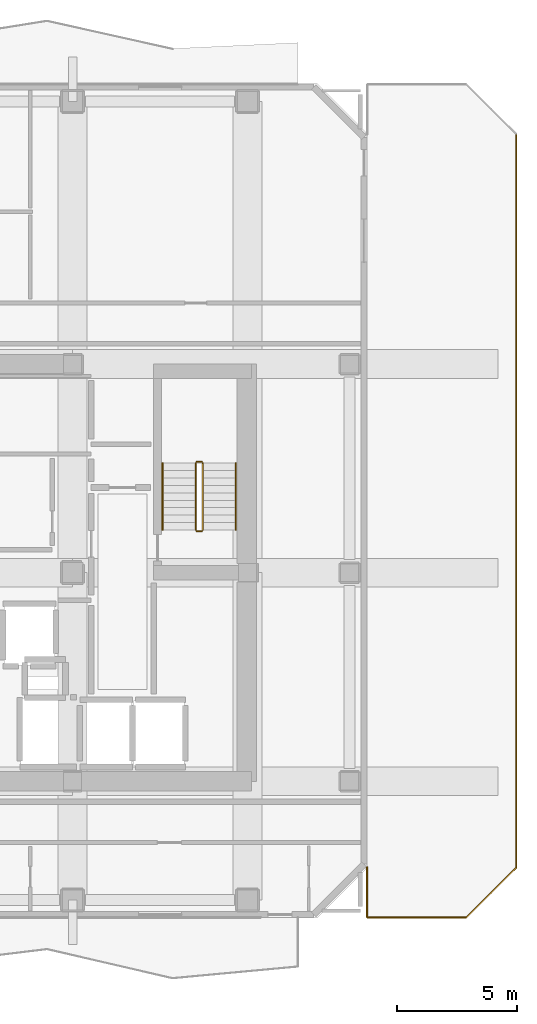
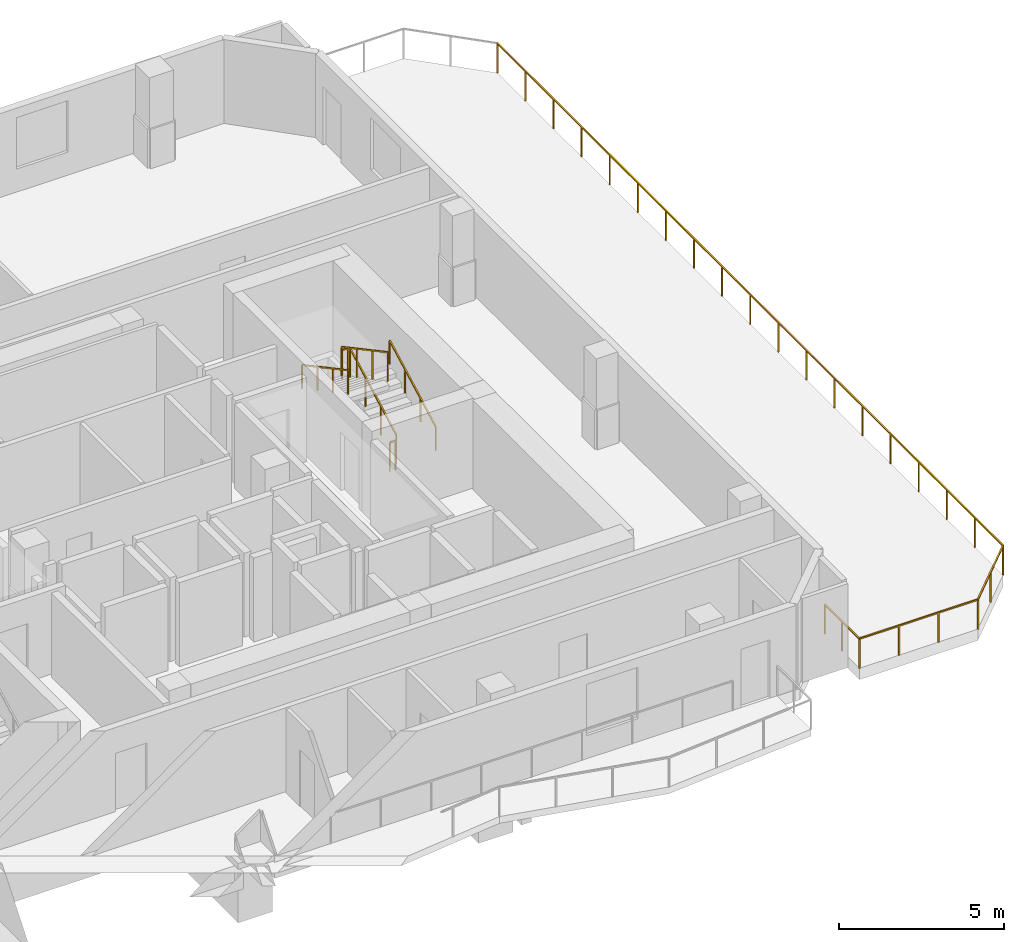
# One storey, part 9 of 10: 10 railings.
"""IFC4 building model written with IfcOpenShell, lengths in metres."""

from ifc_helpers import new_model, si_unit, direction, frame, origin, origin_2d, place, context, subcontext, project, spatial, rectangle, extrude, material, type_object, element, save


model = new_model("IFC4")

# Units and contexts
model_context = context("Model", 3, precision=1e-05, world=origin(), true_north=direction((0.0, 1.0)))
body_context = subcontext(model_context, "Body", "Model", "MODEL_VIEW")
ifc_project = project(units=[si_unit("LENGTHUNIT", "METRE"), si_unit("AREAUNIT", "SQUARE_METRE"), si_unit("VOLUMEUNIT", "CUBIC_METRE"), si_unit("PLANEANGLEUNIT", "RADIAN"), si_unit("MASSUNIT", "GRAM", prefix="KILO")], contexts=[model_context])

# Site, building, storey
site_placement = place(None, origin())
site = spatial("IfcSite", under=ifc_project, at=site_placement, CompositionType="ELEMENT")
building_placement = place(site_placement, origin())
building = spatial("IfcBuilding", under=site, at=building_placement, Name="Solanera Arch Residences", CompositionType="ELEMENT")
storey_placement = place(building_placement, frame((0.0, 0.0, 251.199951171875)))
storey = spatial("IfcBuildingStorey", under=building, at=storey_placement, Name="L73", CompositionType="ELEMENT", Elevation=251.199951171875)

# Railings
ifc_material_1 = material(Name="Steel S355 (ASTM A992 / A572 Grade 50)", Category="steel")
railing_type_1 = type_object("IfcRailingType", Name="Balustrade Railing BL-1100", PredefinedType="BALUSTRADE", material=ifc_material_1)
railing_1_placement = place(storey_placement, frame((41.47998046875, 18.407958984375, 0.0)))
element("IfcRailing", 1, at=railing_1_placement, inside=storey, type_object=railing_type_1, Name="L73 Sky Terrace Guardrail 1", PredefinedType="BALUSTRADE", context=body_context, shape_type="SweptSolid", body=[
    extrude(rectangle(XDim=0.048095703125, YDim=0.048095703125, at=origin_2d()), frame((0.0, 0.0, 1.09619140625), z_axis=(0.0, -1.0, 0.0), x_axis=(1.0, 0.0, 0.0)), (0.0, 0.0, 1.0), 2.087890625),
    extrude(rectangle(XDim=0.0419921875, YDim=0.0419921875, at=origin_2d()), origin(), (0.0, 0.0, 1.0), 1.072021484375),
    extrude(rectangle(XDim=0.0419921875, YDim=0.0419921875, at=origin_2d()), frame((0.0, -1.0439453125, 0.0)), (0.0, 0.0, 1.0), 1.072021484375),
    extrude(rectangle(XDim=0.0419921875, YDim=0.0419921875, at=origin_2d()), frame((0.0, -2.087890625, 0.0)), (0.0, 0.0, 1.0), 1.072021484375),
])
railing_2_placement = place(storey_placement, frame((41.47998046875, 16.320068359375, 0.0)))
element("IfcRailing", 2, at=railing_2_placement, inside=storey, type_object=railing_type_1, Name="L73 Sky Terrace Guardrail 1", PredefinedType="BALUSTRADE", context=body_context, shape_type="SweptSolid", body=[
    extrude(rectangle(XDim=0.048095703125, YDim=0.048095703125, at=origin_2d()), frame((0.0, 0.0, 1.09619140625), z_axis=(1.0, 0.0, 0.0), x_axis=(0.0, 1.0, 0.0)), (0.0, 0.0, 1.0), 4.14013671875),
    extrude(rectangle(XDim=0.0419921875, YDim=0.0419921875, at=origin_2d()), origin(), (0.0, 0.0, 1.0), 1.072021484375),
    extrude(rectangle(XDim=0.0419921875, YDim=0.0419921875, at=origin_2d()), frame((1.380126953125, 0.0, 0.0)), (0.0, 0.0, 1.0), 1.072021484375),
    extrude(rectangle(XDim=0.0419921875, YDim=0.0419921875, at=origin_2d()), frame((2.760009765625, 0.0, 0.0)), (0.0, 0.0, 1.0), 1.072021484375),
    extrude(rectangle(XDim=0.0419921875, YDim=0.0419921875, at=origin_2d()), frame((4.14013671875, 0.0, 0.0)), (0.0, 0.0, 1.0), 1.072021484375),
])
railing_3_placement = place(storey_placement, frame((45.6201171875, 16.320068359375, 0.0)))
element("IfcRailing", 3, at=railing_3_placement, inside=storey, type_object=railing_type_1, Name="L73 Sky Terrace Guardrail 1", PredefinedType="BALUSTRADE", context=body_context, shape_type="SweptSolid", body=[
    extrude(rectangle(XDim=0.048095703125, YDim=0.048095703125, at=origin_2d()), frame((0.0, 0.0, 1.09619140625), z_axis=(0.707106781187, 0.707106781187, 0.0), x_axis=(-0.707106781187, 0.707106781187, 0.0)), (0.0, 0.0, 1.0), 2.94140625),
    extrude(rectangle(XDim=0.0419921875, YDim=0.0419921875, at=origin_2d()), origin(), (0.0, 0.0, 1.0), 1.072021484375),
    extrude(rectangle(XDim=0.0419921875, YDim=0.0419921875, at=origin_2d()), frame((1.0400390625, 1.0400390625, 0.0)), (0.0, 0.0, 1.0), 1.072021484375),
    extrude(rectangle(XDim=0.0419921875, YDim=0.0419921875, at=origin_2d()), frame((2.079833984375, 2.079833984375, 0.0)), (0.0, 0.0, 1.0), 1.072021484375),
])
railing_4_placement = place(storey_placement, frame((47.699951171875, 18.39990234375, 0.0)))
element("IfcRailing", 4, at=railing_4_placement, inside=storey, type_object=railing_type_1, Name="L73 Sky Terrace Guardrail 1", PredefinedType="BALUSTRADE", context=body_context, shape_type="SweptSolid", body=[
    extrude(rectangle(XDim=0.048095703125, YDim=0.048095703125, at=origin_2d()), frame((0.0, 0.0, 1.09619140625), z_axis=(0.0, 1.0, 0.0), x_axis=(-1.0, 0.0, 0.0)), (0.0, 0.0, 1.0), 30.60009765625),
    extrude(rectangle(XDim=0.0419921875, YDim=0.0419921875, at=origin_2d()), origin(), (0.0, 0.0, 1.0), 1.072021484375),
    extrude(rectangle(XDim=0.0419921875, YDim=0.0419921875, at=origin_2d()), frame((0.0, 1.699951171875, 0.0)), (0.0, 0.0, 1.0), 1.072021484375),
    extrude(rectangle(XDim=0.0419921875, YDim=0.0419921875, at=origin_2d()), frame((0.0, 3.39990234375, 0.0)), (0.0, 0.0, 1.0), 1.072021484375),
    extrude(rectangle(XDim=0.0419921875, YDim=0.0419921875, at=origin_2d()), frame((0.0, 5.10009765625, 0.0)), (0.0, 0.0, 1.0), 1.072021484375),
    extrude(rectangle(XDim=0.0419921875, YDim=0.0419921875, at=origin_2d()), frame((0.0, 6.800048828125, 0.0)), (0.0, 0.0, 1.0), 1.072021484375),
    extrude(rectangle(XDim=0.0419921875, YDim=0.0419921875, at=origin_2d()), frame((0.0, 8.5, 0.0)), (0.0, 0.0, 1.0), 1.072021484375),
    extrude(rectangle(XDim=0.0419921875, YDim=0.0419921875, at=origin_2d()), frame((0.0, 10.199951171875, 0.0)), (0.0, 0.0, 1.0), 1.072021484375),
    extrude(rectangle(XDim=0.0419921875, YDim=0.0419921875, at=origin_2d()), frame((0.0, 11.900146484375, 0.0)), (0.0, 0.0, 1.0), 1.072021484375),
    extrude(rectangle(XDim=0.0419921875, YDim=0.0419921875, at=origin_2d()), frame((0.0, 13.60009765625, 0.0)), (0.0, 0.0, 1.0), 1.072021484375),
    extrude(rectangle(XDim=0.0419921875, YDim=0.0419921875, at=origin_2d()), frame((0.0, 15.300048828125, 0.0)), (0.0, 0.0, 1.0), 1.072021484375),
    extrude(rectangle(XDim=0.0419921875, YDim=0.0419921875, at=origin_2d()), frame((0.0, 17.0, 0.0)), (0.0, 0.0, 1.0), 1.072021484375),
    extrude(rectangle(XDim=0.0419921875, YDim=0.0419921875, at=origin_2d()), frame((0.0, 18.699951171875, 0.0)), (0.0, 0.0, 1.0), 1.072021484375),
    extrude(rectangle(XDim=0.0419921875, YDim=0.0419921875, at=origin_2d()), frame((0.0, 20.400146484375, 0.0)), (0.0, 0.0, 1.0), 1.072021484375),
    extrude(rectangle(XDim=0.0419921875, YDim=0.0419921875, at=origin_2d()), frame((0.0, 22.10009765625, 0.0)), (0.0, 0.0, 1.0), 1.072021484375),
    extrude(rectangle(XDim=0.0419921875, YDim=0.0419921875, at=origin_2d()), frame((0.0, 23.800048828125, 0.0)), (0.0, 0.0, 1.0), 1.072021484375),
    extrude(rectangle(XDim=0.0419921875, YDim=0.0419921875, at=origin_2d()), frame((0.0, 25.5, 0.0)), (0.0, 0.0, 1.0), 1.072021484375),
    extrude(rectangle(XDim=0.0419921875, YDim=0.0419921875, at=origin_2d()), frame((0.0, 27.2001953125, 0.0)), (0.0, 0.0, 1.0), 1.072021484375),
    extrude(rectangle(XDim=0.0419921875, YDim=0.0419921875, at=origin_2d()), frame((0.0, 28.900146484375, 0.0)), (0.0, 0.0, 1.0), 1.072021484375),
    extrude(rectangle(XDim=0.0419921875, YDim=0.0419921875, at=origin_2d()), frame((0.0, 30.60009765625, 0.0)), (0.0, 0.0, 1.0), 1.072021484375),
])
ifc_material_2 = material(Name="Steel S355 (ASTM A992 / A572 Grade 50)", Category="steel")
railing_type_2 = type_object("IfcRailingType", Name="Stair Guardrail GR-1100", PredefinedType="GUARDRAIL", material=ifc_material_2)
railing_5_placement = place(storey_placement, frame((34.6298828125, 32.47998046875, 0.151123046875)))
element("IfcRailing", 5, at=railing_5_placement, inside=storey, type_object=railing_type_2, Name="L73 ST-T2 stair guard 1", PredefinedType="GUARDRAIL", context=body_context, shape_type="SweptSolid", body=[
    extrude(rectangle(XDim=0.048095703125, YDim=0.048095703125, at=origin_2d()), frame((0.0, 0.0, 1.076171875), z_axis=(0.0, 0.881580869306, 0.472033018838), x_axis=(-1.0, 0.0, 0.0)), (0.0, 0.0, 1.0), 3.164794921875),
    extrude(rectangle(XDim=0.0419921875, YDim=0.0419921875, at=origin_2d()), origin(), (0.0, 0.0, 1.0), 1.052001953125),
    extrude(rectangle(XDim=0.0419921875, YDim=0.0419921875, at=origin_2d()), frame((0.0, 0.929931640625, 0.498046875)), (0.0, 0.0, 1.0), 1.052001953125),
    extrude(rectangle(XDim=0.0419921875, YDim=0.0419921875, at=origin_2d()), frame((0.0, 1.860107421875, 0.995849609375)), (0.0, 0.0, 1.0), 1.052001953125),
    extrude(rectangle(XDim=0.0419921875, YDim=0.0419921875, at=origin_2d()), frame((0.0, 2.7900390625, 1.493896484375)), (0.0, 0.0, 1.0), 1.052001953125),
])
railing_6_placement = place(storey_placement, frame((34.580078125, 35.320068359375, 1.64501953125)))
element("IfcRailing", 6, at=railing_6_placement, inside=storey, type_object=railing_type_2, Name="L73 ST-T2 stair guard 2", PredefinedType="GUARDRAIL", context=body_context, shape_type="SweptSolid", body=[
    extrude(rectangle(XDim=0.048095703125, YDim=0.048095703125, at=origin_2d()), frame((0.0, 0.0, 1.076171875), z_axis=(-1.0, 0.0, 0.0), x_axis=(0.0, -1.0, 0.0)), (0.0, 0.0, 1.0), 0.2001953125),
    extrude(rectangle(XDim=0.0419921875, YDim=0.0419921875, at=origin_2d()), origin(), (0.0, 0.0, 1.0), 1.052001953125),
    extrude(rectangle(XDim=0.0419921875, YDim=0.0419921875, at=origin_2d()), frame((-0.2001953125, 0.0, 0.0)), (0.0, 0.0, 1.0), 1.052001953125),
])
railing_7_placement = place(storey_placement, frame((34.330078125, 35.27001953125, 1.81103515625)))
element("IfcRailing", 7, at=railing_7_placement, inside=storey, type_object=railing_type_2, Name="L73 ST-T2 stair guard 3", PredefinedType="GUARDRAIL", context=body_context, shape_type="SweptSolid", body=[
    extrude(rectangle(XDim=0.048095703125, YDim=0.048095703125, at=origin_2d()), frame((0.0, 0.0, 1.076171875), z_axis=(0.0, -0.881580869306, 0.472033018838), x_axis=(1.0, 0.0, 0.0)), (0.0, 0.0, 1.0), 3.164794921875),
    extrude(rectangle(XDim=0.0419921875, YDim=0.0419921875, at=origin_2d()), origin(), (0.0, 0.0, 1.0), 1.052001953125),
    extrude(rectangle(XDim=0.0419921875, YDim=0.0419921875, at=origin_2d()), frame((0.0, -0.929931640625, 0.498046875)), (0.0, 0.0, 1.0), 1.052001953125),
    extrude(rectangle(XDim=0.0419921875, YDim=0.0419921875, at=origin_2d()), frame((0.0, -1.860107421875, 0.995849609375)), (0.0, 0.0, 1.0), 1.052001953125),
    extrude(rectangle(XDim=0.0419921875, YDim=0.0419921875, at=origin_2d()), frame((0.0, -2.7900390625, 1.493896484375)), (0.0, 0.0, 1.0), 1.052001953125),
])
railing_8_placement = place(storey_placement, frame((34.580078125, 32.429931640625, -0.014892578125)))
element("IfcRailing", 8, at=railing_8_placement, inside=storey, type_object=railing_type_2, Name="L73 ST-T2 stair guard 4", PredefinedType="GUARDRAIL", context=body_context, shape_type="SweptSolid", body=[
    extrude(rectangle(XDim=0.048095703125, YDim=0.048095703125, at=origin_2d()), frame((0.0, 0.0, 1.076171875), z_axis=(-1.0, 0.0, 0.0), x_axis=(0.0, -1.0, 0.0)), (0.0, 0.0, 1.0), 0.2001953125),
    extrude(rectangle(XDim=0.0419921875, YDim=0.0419921875, at=origin_2d()), origin(), (0.0, 0.0, 1.0), 1.052001953125),
    extrude(rectangle(XDim=0.0419921875, YDim=0.0419921875, at=origin_2d()), frame((-0.2001953125, 0.0, 0.0)), (0.0, 0.0, 1.0), 1.052001953125),
])
ifc_material_3 = material(Name="Steel S355 (ASTM A992 / A572 Grade 50)", Category="steel")
railing_type_3 = type_object("IfcRailingType", Name="Stair Wall Handrail HR-920", PredefinedType="HANDRAIL", material=ifc_material_3)
railing_9_placement = place(storey_placement, frame((36.010009765625, 32.47998046875, 0.166015625)))
element("IfcRailing", 9, at=railing_9_placement, inside=storey, type_object=railing_type_3, Name="L73 ST-T2 stair handrail 1", PredefinedType="HANDRAIL", context=body_context, shape_type="SweptSolid", body=[
    extrude(rectangle(XDim=0.048095703125, YDim=0.048095703125, at=origin_2d()), frame((0.0, 0.0, 0.8759765625), z_axis=(0.0, 0.881548766853, 0.472092969298), x_axis=(-1.0, 0.0, 0.0)), (0.0, 0.0, 1.0), 3.1650390625),
    extrude(rectangle(XDim=0.0419921875, YDim=0.0419921875, at=origin_2d()), origin(), (0.0, 0.0, 1.0), 0.851806640625),
    extrude(rectangle(XDim=0.0419921875, YDim=0.0419921875, at=origin_2d()), frame((0.0, 0.929931640625, 0.498046875)), (0.0, 0.0, 1.0), 0.851806640625),
    extrude(rectangle(XDim=0.0419921875, YDim=0.0419921875, at=origin_2d()), frame((0.0, 1.860107421875, 0.99609375)), (0.0, 0.0, 1.0), 0.851806640625),
    extrude(rectangle(XDim=0.0419921875, YDim=0.0419921875, at=origin_2d()), frame((0.0, 2.7900390625, 1.494140625)), (0.0, 0.0, 1.0), 0.851806640625),
])
railing_10_placement = place(storey_placement, frame((32.949951171875, 35.27001953125, 1.825927734375)))
element("IfcRailing", 10, at=railing_10_placement, inside=storey, type_object=railing_type_3, Name="L73 ST-T2 stair handrail 2", PredefinedType="HANDRAIL", context=body_context, shape_type="SweptSolid", body=[
    extrude(rectangle(XDim=0.048095703125, YDim=0.048095703125, at=origin_2d()), frame((0.0, 0.0, 0.8759765625), z_axis=(0.0, -0.881548766853, 0.472092969298), x_axis=(1.0, 0.0, 0.0)), (0.0, 0.0, 1.0), 3.1650390625),
    extrude(rectangle(XDim=0.0419921875, YDim=0.0419921875, at=origin_2d()), origin(), (0.0, 0.0, 1.0), 0.851806640625),
    extrude(rectangle(XDim=0.0419921875, YDim=0.0419921875, at=origin_2d()), frame((0.0, -0.929931640625, 0.498046875)), (0.0, 0.0, 1.0), 0.851806640625),
    extrude(rectangle(XDim=0.0419921875, YDim=0.0419921875, at=origin_2d()), frame((0.0, -1.860107421875, 0.99609375)), (0.0, 0.0, 1.0), 0.851806640625),
    extrude(rectangle(XDim=0.0419921875, YDim=0.0419921875, at=origin_2d()), frame((0.0, -2.7900390625, 1.494140625)), (0.0, 0.0, 1.0), 0.851806640625),
])

save(model, "model.ifc")
